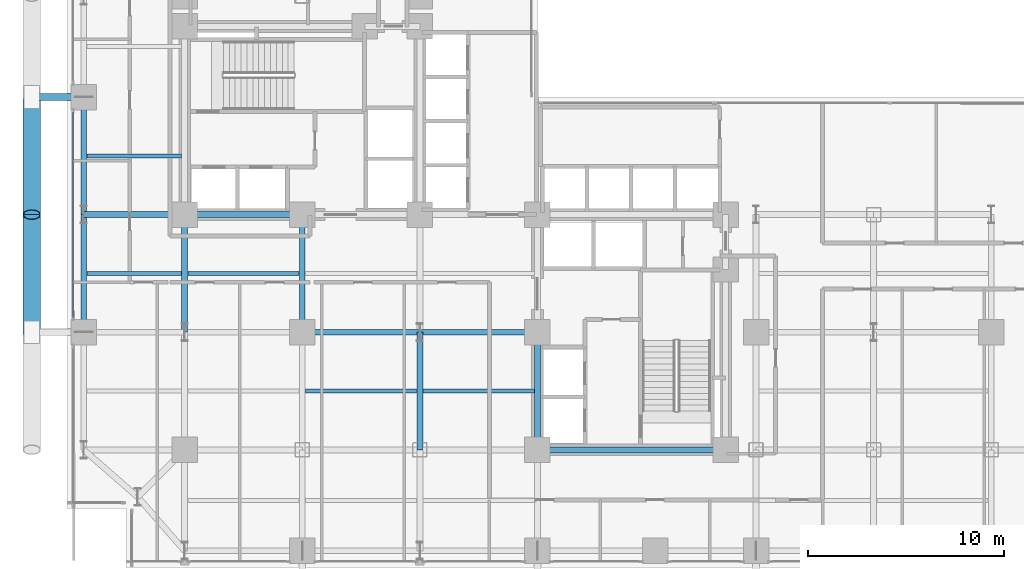
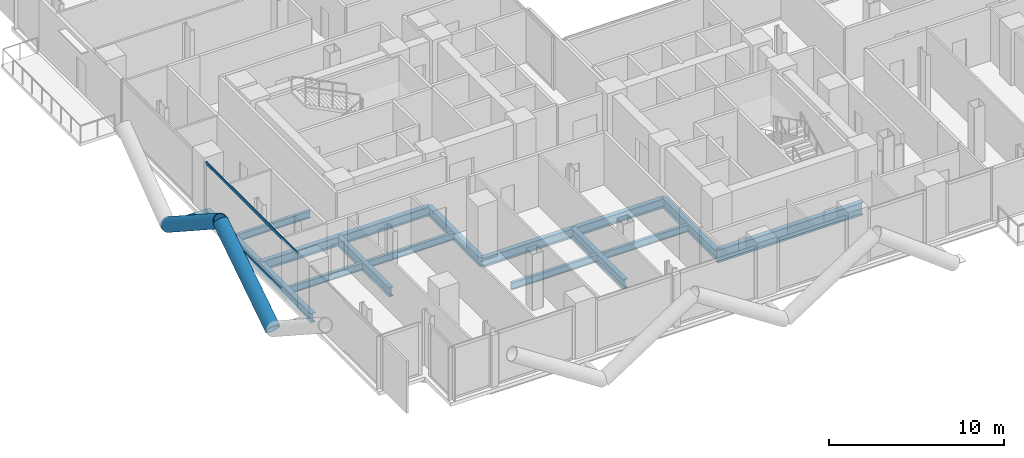
# One storey, part 4 of 27: 16 beams, 5 members, 1 element without a shape of its own.
"""IFC4 building model written with IfcOpenShell, lengths in metres."""

from ifc_helpers import new_model, si_unit, direction, frame, origin, origin_2d, place, context, subcontext, project, spatial, hollow_rectangle, hollow_circle, i_section, extrude, material, layer, layer_set, material_profile, profile_set, type_object, element, aggregate, save


model = new_model("IFC4")

# Units and contexts
model_context = context("Model", 3, precision=1e-05, world=origin(), true_north=direction((0.0, 1.0)))
body_context = subcontext(model_context, "Body", "Model", "MODEL_VIEW")
ifc_project = project(units=[si_unit("LENGTHUNIT", "METRE"), si_unit("AREAUNIT", "SQUARE_METRE"), si_unit("VOLUMEUNIT", "CUBIC_METRE"), si_unit("PLANEANGLEUNIT", "RADIAN"), si_unit("MASSUNIT", "GRAM", prefix="KILO"), si_unit("THERMODYNAMICTEMPERATUREUNIT", "KELVIN"), si_unit("POWERUNIT", "WATT")], contexts=[model_context])

# Site, building, storey
site_placement = place(None, origin())
site = spatial("IfcSite", under=ifc_project, at=site_placement, CompositionType="ELEMENT")
building_placement = place(site_placement, origin())
building = spatial("IfcBuilding", under=site, at=building_placement, Name="Svarakhadi Broadcast Tower", CompositionType="ELEMENT")
storey_placement = place(building_placement, frame((0.0, 0.0, 44.10009765625)))
storey = spatial("IfcBuildingStorey", under=building, at=storey_placement, Name="L09", CompositionType="ELEMENT", Elevation=44.10009765625)

# Beams
ifc_material_1 = material(Name="Steel S355J2 (IS 2062 E350C)", Category="steel")
ifc_material_profile_1 = material_profile(ifc_material_1, i_section(OverallWidth=0.199951171875, OverallDepth=0.5, WebThickness=0.01025390625, FlangeThickness=0.01611328125, FilletRadius=0.02099609375, at=origin_2d()), Name="NPB 500x200x91")
ifc_profile_set_1 = profile_set([ifc_material_profile_1], Name="Steel S355J2 (IS 2062 E350C)")
beam_type_1 = type_object("IfcBeamType", Name="Beam_NPB500", PredefinedType="BEAM", material=ifc_profile_set_1)
for number, where, z_axis, x_axis, name in (
    (1, (1.010009765625, 15.0, -0.5), (1.0, 0.0, 0.0), (0.0, 1.0, 0.0), "L09 Secondary Composite Beam SB002"),
    (2, (1.010009765625, 21.0, -0.5), (1.0, 0.0, 0.0), (0.0, 1.0, 0.0), "L09 Secondary Composite Beam SB003"),
):
    element("IfcBeam", number, at=place(storey_placement, frame(where, z_axis=z_axis, x_axis=x_axis)), inside=storey, type_object=beam_type_1, Name=name, PredefinedType="BEAM", context=body_context, shape_type="SweptSolid", body=[
        extrude(i_section(OverallWidth=0.199951171875, OverallDepth=0.5, WebThickness=0.01025390625, FlangeThickness=0.01611328125, FilletRadius=0.02099609375, at=origin_2d()), origin(), (0.0, 0.0, 1.0), 4.830078125),
    ])
for number, where, z_axis, x_axis, name in (
    (3, (6.159912109375, 15.0, -0.5), (1.0, 0.0, 0.0), (0.0, 1.0, 0.0), "L09 Secondary Composite Beam SB009"),
    (4, (12.159912109375, 9.0, -0.5), (1.0, 0.0, 0.0), (0.0, 1.0, 0.0), "L09 Secondary Composite Beam SB014"),
    (5, (18.159912109375, 9.0, -0.5), (1.0, 0.0, 0.0), (0.0, 1.0, 0.0), "L09 Secondary Composite Beam SB020"),
):
    element("IfcBeam", number, at=place(storey_placement, frame(where, z_axis=z_axis, x_axis=x_axis)), inside=storey, type_object=beam_type_1, Name=name, PredefinedType="BEAM", context=body_context, shape_type="SweptSolid", body=[
        extrude(i_section(OverallWidth=0.199951171875, OverallDepth=0.5, WebThickness=0.01025390625, FlangeThickness=0.01611328125, FilletRadius=0.02099609375, at=origin_2d()), origin(), (0.0, 0.0, 1.0), 5.68017578125),
    ])

# Curtain wall, members
ifc_material_2 = material(Name="Anodised Bronze Aluminium AA 6063-T6", Category="aluminium")
ifc_layer = layer(ifc_material_2, 0.219970703125)
ifc_layer_set = layer_set([ifc_layer], Name="Anodised Bronze Aluminium AA 6063-T6")
curtain_wall_type = type_object("IfcCurtainWallType", Name="CW_Sys_02", PredefinedType="NOTDEFINED", material=ifc_layer_set)
curtain_wall_placement = place(storey_placement, origin())
curtain_wall = element("IfcCurtainWall", 6, at=curtain_wall_placement, inside=storey, type_object=curtain_wall_type, Name="L09 West Curtain Wall 02 Bay 2", PredefinedType="NOTDEFINED")
ifc_material_profile_2 = material_profile(ifc_material_2, hollow_rectangle(XDim=0.074951171875, YDim=0.199951171875, WallThickness=0.0048828125, at=origin_2d()), Name="ALU TRANSOM 200x75x5")
ifc_profile_set_2 = profile_set([ifc_material_profile_2], Name="Anodised Bronze Aluminium AA 6063-T6")
member_type_1 = type_object("IfcMemberType", Name="CW_Sys_02_Trn", PredefinedType="USERDEFINED", material=ifc_profile_set_2)
member_1_placement = place(storey_placement, frame((0.300048828125, 12.7548828125, 0.037353515625), z_axis=(0.0, 1.0, 0.0), x_axis=(-1.0, 0.0, 0.0)))
member_1 = element("IfcMember", 7, at=member_1_placement, type_object=member_type_1, Name="CW-02 transom 1.1", ObjectType="TRANSOM", PredefinedType="USERDEFINED", context=body_context, shape_type="SweptSolid", body=[
    extrude(hollow_rectangle(XDim=0.074951171875, YDim=0.199951171875, WallThickness=0.0048828125, at=origin_2d()), origin(), (0.0, 0.0, 1.0), 10.490234375),
])
member_2_placement = place(storey_placement, frame((0.300048828125, 12.7548828125, 3.6123046875), z_axis=(0.0, 1.0, 0.0), x_axis=(-1.0, 0.0, 0.0)))
member_2 = element("IfcMember", 8, at=member_2_placement, type_object=member_type_1, Name="CW-02 transom 1.2", ObjectType="TRANSOM", PredefinedType="USERDEFINED", context=body_context, shape_type="SweptSolid", body=[
    extrude(hollow_rectangle(XDim=0.074951171875, YDim=0.199951171875, WallThickness=0.0048828125, at=origin_2d()), origin(), (0.0, 0.0, 1.0), 10.490234375),
])
aggregate(curtain_wall, [member_1, member_2])

# Members
ifc_material_3 = material(Name="Steel S460ML (IS 2062 E450BR)", Category="steel")
ifc_material_profile_3 = material_profile(ifc_material_3, hollow_circle(Radius=0.45703125, WallThickness=0.044921875, at=origin_2d()), Name="CHS 914x45")
ifc_profile_set_3 = profile_set([ifc_material_profile_3], Name="Steel S460ML (IS 2062 E450BR)")
member_type_2 = type_object("IfcMemberType", Name="Exo_Brace_CHS914", PredefinedType="BRACE", material=ifc_profile_set_3)
for number, where, z_axis, x_axis, name in (
    (9, (-1.800048828125, 12.0, -0.427978515625), (0.0, 0.838434262763, 0.545002740383), (-1.0, 0.0, 0.0), "L09 Exposed Bronze Exoskeleton Diagonal W07"),
    (10, (-1.800048828125, 24.0, -0.427978515625), (0.0, -0.838434262763, 0.545002740383), (1.0, 0.0, 0.0), "L09 Exposed Bronze Exoskeleton Diagonal W08"),
):
    element("IfcMember", number, at=place(storey_placement, frame(where, z_axis=z_axis, x_axis=x_axis)), inside=storey, type_object=member_type_2, Name=name, PredefinedType="BRACE", context=body_context, shape_type="SweptSolid", body=[
        extrude(hollow_circle(Radius=0.45703125, WallThickness=0.044921875, at=origin_2d()), origin(), (0.0, 0.0, 1.0), 7.15625),
    ])
ifc_material_profile_4 = material_profile(ifc_material_3, hollow_circle(Radius=0.177734375, WallThickness=0.02001953125, at=origin_2d()), Name="CHS 355.6x20")
ifc_profile_set_4 = profile_set([ifc_material_profile_4], Name="Steel S460ML (IS 2062 E450BR)")
member_type_3 = type_object("IfcMemberType", Name="Exo_Radial_Strut_Z1", PredefinedType="STRUT", material=ifc_profile_set_4)
member_3_placement = place(storey_placement, frame((-1.800048828125, 24.0, -0.427978515625), z_axis=(1.0, 0.0, 0.0), x_axis=(0.0, 1.0, 0.0)))
element("IfcMember", 11, at=member_3_placement, inside=storey, type_object=member_type_3, Name="L09 Exoskeleton Radial Tie Strut W05", PredefinedType="STRUT", context=body_context, shape_type="SweptSolid", body=[
    extrude(hollow_circle(Radius=0.177734375, WallThickness=0.02001953125, at=origin_2d()), origin(), (0.0, 0.0, 1.0), 2.650146484375),
])

# Beams
ifc_material_profile_5 = material_profile(ifc_material_1, i_section(OverallWidth=0.300048828125, OverallDepth=0.64990234375, WebThickness=0.01611328125, FlangeThickness=0.031005859375, FilletRadius=0.027099609375, at=origin_2d()), Name="WPB 650x300x225")
ifc_profile_set_5 = profile_set([ifc_material_profile_5], Name="Steel S355J2 (IS 2062 E350C)")
beam_type_2 = type_object("IfcBeamType", Name="Girder_WPB650", PredefinedType="USERDEFINED", material=ifc_profile_set_5)
for number, where, z_axis, x_axis, name in (
    (12, (12.0, 12.0, -0.5751953125), (1.0, 0.0, 0.0), (0.0, 1.0, 0.0), "L09 Primary E-W Girder G021"),
    (13, (18.0, 12.0, -0.5751953125), (1.0, 0.0, 0.0), (0.0, 1.0, 0.0), "L09 Primary E-W Girder G022"),
):
    element("IfcBeam", number, at=place(storey_placement, frame(where, z_axis=z_axis, x_axis=x_axis)), inside=storey, type_object=beam_type_2, Name=name, ObjectType="GIRDER", PredefinedType="USERDEFINED", context=body_context, shape_type="SweptSolid", body=[
        extrude(i_section(OverallWidth=0.300048828125, OverallDepth=0.64990234375, WebThickness=0.01611328125, FlangeThickness=0.031005859375, FilletRadius=0.027099609375, at=origin_2d()), origin(), (0.0, 0.0, 1.0), 6.0),
    ])
beam_1_placement = place(storey_placement, frame((0.85009765625, 18.0, -0.5751953125), z_axis=(1.0, 0.0, 0.0), x_axis=(0.0, 1.0, 0.0)))
element("IfcBeam", 14, at=beam_1_placement, inside=storey, type_object=beam_type_2, Name="L09 Primary E-W Girder G025", ObjectType="GIRDER", PredefinedType="USERDEFINED", context=body_context, shape_type="SweptSolid", body=[
    extrude(i_section(OverallWidth=0.300048828125, OverallDepth=0.64990234375, WebThickness=0.01611328125, FlangeThickness=0.031005859375, FilletRadius=0.027099609375, at=origin_2d()), origin(), (0.0, 0.0, 1.0), 5.14990234375),
])
for number, where, z_axis, x_axis, name in (
    (15, (6.0, 18.0, -0.5751953125), (1.0, 0.0, 0.0), (0.0, 1.0, 0.0), "L09 Primary E-W Girder G026"),
    (16, (0.85009765625, 12.0, -0.5751953125), (0.0, 1.0, 0.0), (-1.0, 0.0, 0.0), "L09 Primary N-S Girder G046"),
    (17, (0.85009765625, 18.0, -0.5751953125), (0.0, 1.0, 0.0), (-1.0, 0.0, 0.0), "L09 Primary N-S Girder G047"),
    (18, (6.0, 12.0, -0.5751953125), (0.0, 1.0, 0.0), (-1.0, 0.0, 0.0), "L09 Primary N-S Girder G053"),
    (19, (12.0, 12.0, -0.5751953125), (0.0, 1.0, 0.0), (-1.0, 0.0, 0.0), "L09 Primary N-S Girder G060"),
    (20, (18.0, 6.0, -0.5751953125), (0.0, 1.0, 0.0), (-1.0, 0.0, 0.0), "L09 Primary N-S Girder G065"),
    (21, (24.0, 6.0, -0.5751953125), (0.0, 1.0, 0.0), (-1.0, 0.0, 0.0), "L09 Primary N-S Girder G072"),
):
    element("IfcBeam", number, at=place(storey_placement, frame(where, z_axis=z_axis, x_axis=x_axis)), inside=storey, type_object=beam_type_2, Name=name, ObjectType="GIRDER", PredefinedType="USERDEFINED", context=body_context, shape_type="SweptSolid", body=[
        extrude(i_section(OverallWidth=0.300048828125, OverallDepth=0.64990234375, WebThickness=0.01611328125, FlangeThickness=0.031005859375, FilletRadius=0.027099609375, at=origin_2d()), origin(), (0.0, 0.0, 1.0), 6.0),
    ])
ifc_material_profile_6 = material_profile(ifc_material_3, i_section(OverallWidth=0.300048828125, OverallDepth=0.89990234375, WebThickness=0.0185546875, FlangeThickness=0.034912109375, FilletRadius=0.030029296875, at=origin_2d()), Name="WPB 900x300x291")
ifc_profile_set_6 = profile_set([ifc_material_profile_6], Name="Steel S460ML (IS 2062 E450BR)")
beam_type_3 = type_object("IfcBeamType", Name="Girder_WPB900", PredefinedType="USERDEFINED", material=ifc_profile_set_6)
beam_2_placement = place(storey_placement, frame((24.0, 6.0, -0.7001953125), z_axis=(1.0, 0.0, 0.0), x_axis=(0.0, 1.0, 0.0)))
element("IfcBeam", 22, at=beam_2_placement, inside=storey, type_object=beam_type_3, Name="L09 Primary E-W Girder G015", ObjectType="GIRDER", PredefinedType="USERDEFINED", context=body_context, shape_type="SweptSolid", body=[
    extrude(i_section(OverallWidth=0.300048828125, OverallDepth=0.89990234375, WebThickness=0.0185546875, FlangeThickness=0.034912109375, FilletRadius=0.030029296875, at=origin_2d()), origin(), (0.0, 0.0, 1.0), 9.60009765625),
])

save(model, "model.ifc")
